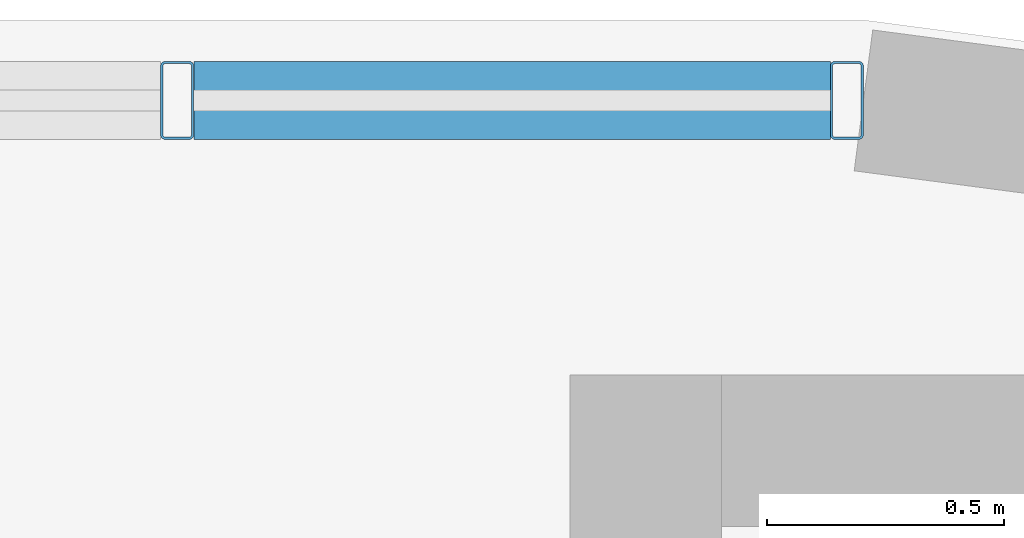
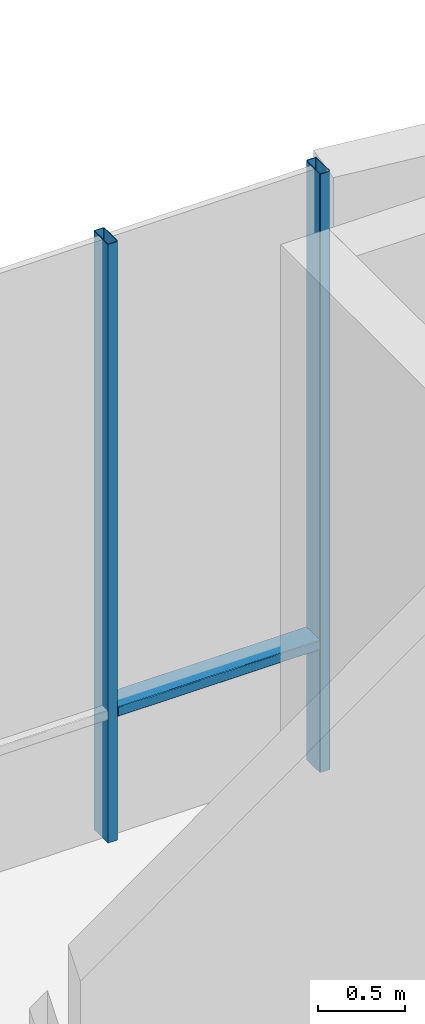
# One storey, part 12 of 26: 3 members, 1 element without a shape of its own.
"""IFC4 building model written with IfcOpenShell, lengths in metres."""

from ifc_helpers import new_model, si_unit, direction, frame, origin, origin_2d, place, context, subcontext, project, spatial, hollow_rectangle, extrude, material, layer, layer_set, material_profile, profile_set, type_object, element, aggregate, save


model = new_model("IFC4")

# Units and contexts
model_context = context("Model", 3, precision=1e-05, world=origin(), true_north=direction((0.0, 1.0)))
body_context = subcontext(model_context, "Body", "Model", "MODEL_VIEW")
ifc_project = project(units=[si_unit("LENGTHUNIT", "METRE"), si_unit("AREAUNIT", "SQUARE_METRE"), si_unit("VOLUMEUNIT", "CUBIC_METRE"), si_unit("PLANEANGLEUNIT", "RADIAN"), si_unit("MASSUNIT", "GRAM", prefix="KILO")], contexts=[model_context])

# Site, building, storey
site_placement = place(None, origin())
site = spatial("IfcSite", under=ifc_project, at=site_placement, CompositionType="ELEMENT")
building_placement = place(site_placement, origin())
building = spatial("IfcBuilding", under=site, at=building_placement, Name="Brevholm Reach", CompositionType="ELEMENT")
storey_placement = place(building_placement, frame((0.0, 0.0, 18.0)))
storey = spatial("IfcBuildingStorey", under=building, at=storey_placement, Name="L04", CompositionType="ELEMENT", Elevation=18.0)

# Curtain wall, members
ifc_material_1 = material(Name="Dark Anodised Aluminium 6063-T6 and Solar-Control Glass", Category="aluminium")
ifc_layer = layer(ifc_material_1, 0.1650390625)
ifc_layer_set = layer_set([ifc_layer], Name="Dark Anodised Aluminium 6063-T6 and Solar-Control Glass")
curtain_wall_type = type_object("IfcCurtainWallType", Name="CW-03", PredefinedType="NOTDEFINED", material=ifc_layer_set)
curtain_wall_placement = place(storey_placement, origin())
curtain_wall = element("IfcCurtainWall", 1, at=curtain_wall_placement, inside=storey, type_object=curtain_wall_type, Name="L04 Curtain Wall CW-03", PredefinedType="NOTDEFINED")
ifc_material_2 = material(Name="Dark Anodised Aluminium 6063-T6", Category="aluminium")
ifc_material_profile_1 = material_profile(ifc_material_2, hollow_rectangle(XDim=0.070068359375, YDim=0.1650390625, WallThickness=0.0048828125, InnerFilletRadius=0.0048828125, OuterFilletRadius=0.010009765625, at=origin_2d()), Name="RHS 165x70x5")
ifc_profile_set_1 = profile_set([ifc_material_profile_1], Name="Dark Anodised Aluminium 6063-T6")
member_type_1 = type_object("IfcMemberType", Name="CWM-165", PredefinedType="MULLION", material=ifc_profile_set_1)
member_1_placement = place(storey_placement, frame((54.64990234375, 39.830078125, 0.0), z_axis=(0.0, 0.0, 1.0), x_axis=(1.0, 0.0, 0.0)))
member_1 = element("IfcMember", 2, at=member_1_placement, type_object=member_type_1, Name="CM-165 Mullion 3", PredefinedType="MULLION", context=body_context, shape_type="SweptSolid", body=[
    extrude(hollow_rectangle(XDim=0.070068359375, YDim=0.1650390625, WallThickness=0.0048828125, InnerFilletRadius=0.0048828125, OuterFilletRadius=0.010009765625, at=origin_2d()), origin(), (0.0, 0.0, 1.0), 4.219970703125),
])
member_2_placement = place(storey_placement, frame((56.06494140625, 39.830078125, 0.0), z_axis=(0.0, 0.0, 1.0), x_axis=(1.0, 0.0, 0.0)))
member_2 = element("IfcMember", 3, at=member_2_placement, type_object=member_type_1, Name="CM-165 Mullion 4", PredefinedType="MULLION", context=body_context, shape_type="SweptSolid", body=[
    extrude(hollow_rectangle(XDim=0.070068359375, YDim=0.1650390625, WallThickness=0.0048828125, InnerFilletRadius=0.0048828125, OuterFilletRadius=0.010009765625, at=origin_2d()), origin(), (0.0, 0.0, 1.0), 4.219970703125),
])
ifc_material_3 = material(Name="Dark Anodised Aluminium 6063-T6", Category="aluminium")
ifc_material_profile_2 = material_profile(ifc_material_3, hollow_rectangle(XDim=0.070068359375, YDim=0.1650390625, WallThickness=0.0048828125, InnerFilletRadius=0.0048828125, OuterFilletRadius=0.010009765625, at=origin_2d()), Name="RHS 165x70x5")
ifc_profile_set_2 = profile_set([ifc_material_profile_2], Name="Dark Anodised Aluminium 6063-T6")
member_type_2 = type_object("IfcMemberType", Name="CWT-165", PredefinedType="NOTDEFINED", material=ifc_profile_set_2)
member_3_placement = place(storey_placement, frame((54.68505859375, 39.830078125, 0.89990234375), z_axis=(1.0, 0.0, 0.0), x_axis=(0.0, 0.0, 1.0)))
member_3 = element("IfcMember", 4, at=member_3_placement, type_object=member_type_2, Name="CT-165 Transom 3.1", ObjectType="TRANSOM", PredefinedType="USERDEFINED", context=body_context, shape_type="SweptSolid", body=[
    extrude(hollow_rectangle(XDim=0.070068359375, YDim=0.1650390625, WallThickness=0.0048828125, InnerFilletRadius=0.0048828125, OuterFilletRadius=0.010009765625, at=origin_2d()), origin(), (0.0, 0.0, 1.0), 1.344970703125),
])
aggregate(curtain_wall, [member_1, member_2, member_3])

save(model, "model.ifc")
